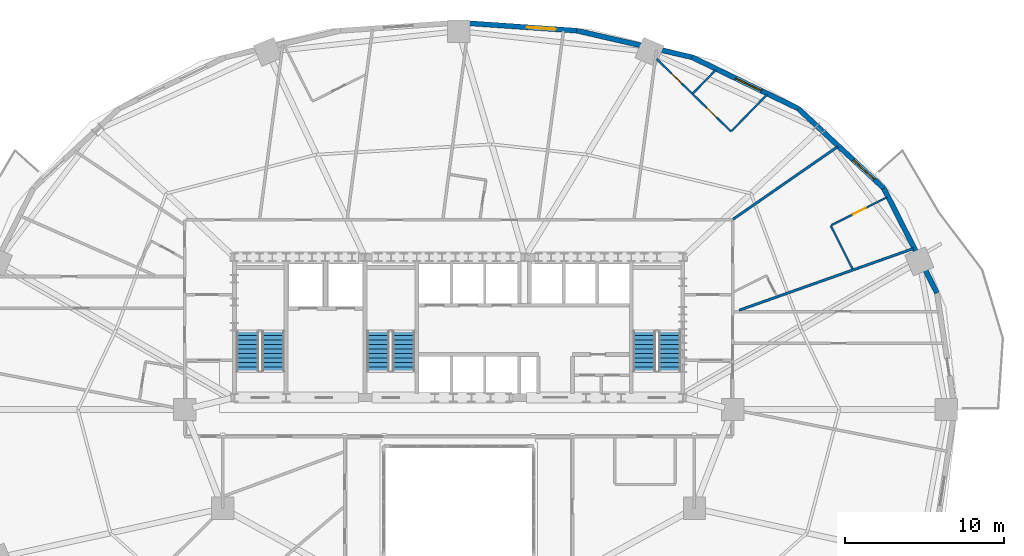
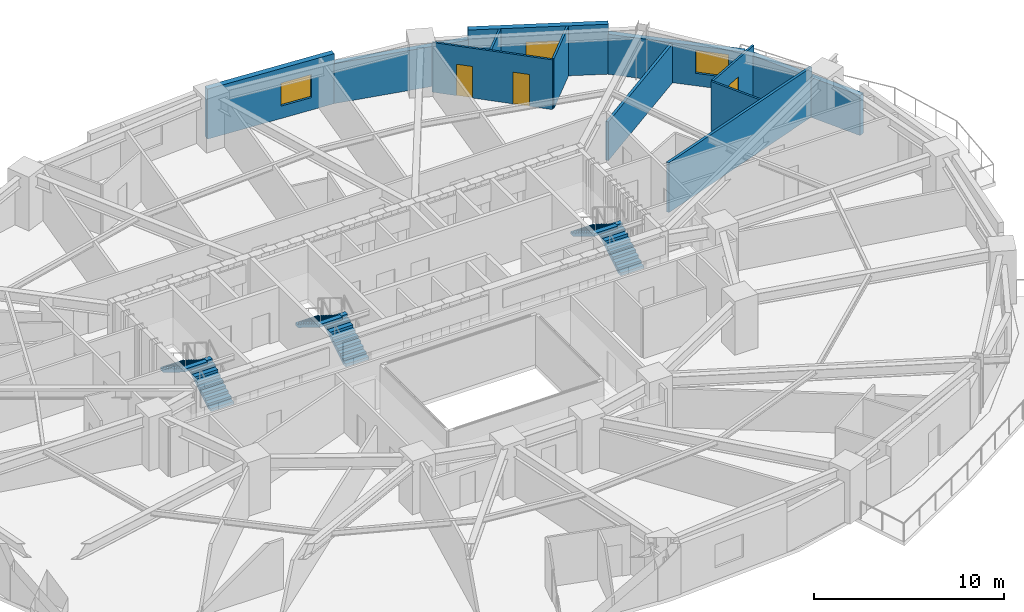
# One storey, part 13 of 17: 12 walls, 6 stair flights, 3 doors, 3 windows, 6 openings, 3 elements without a shape of their own.
"""IFC4 building model written with IfcOpenShell, lengths in metres."""

from ifc_helpers import new_model, si_unit, direction, frame, frame_2d, origin, place, context, subcontext, project, spatial, polyline, rectangle, outline, extrude, material, layer, layer_set, type_object, element, fill, aggregate, save


model = new_model("IFC4")

# Units and contexts
model_context = context("Model", 3, precision=1e-05, world=origin(), true_north=direction((0.0, 1.0)))
body_context = subcontext(model_context, "Body", "Model", "MODEL_VIEW")
ifc_project = project(units=[si_unit("LENGTHUNIT", "METRE"), si_unit("AREAUNIT", "SQUARE_METRE"), si_unit("VOLUMEUNIT", "CUBIC_METRE"), si_unit("PLANEANGLEUNIT", "RADIAN"), si_unit("MASSUNIT", "GRAM", prefix="KILO")], contexts=[model_context])

# Site, building, storey
site_placement = place(None, origin())
site = spatial("IfcSite", under=ifc_project, at=site_placement, CompositionType="ELEMENT")
building_placement = place(site_placement, origin())
building = spatial("IfcBuilding", under=site, at=building_placement, Name="Haldorwick Loom Tower", CompositionType="ELEMENT")
storey_placement = place(building_placement, frame((0.0, 0.0, 58.5)))
storey = spatial("IfcBuildingStorey", under=building, at=storey_placement, Name="L15", CompositionType="ELEMENT", Elevation=58.5)

# Wall
ifc_material_1 = material(Name="Pressed Clay Face Brick and Insulated Masonry Backup Assembly", Category="masonry")
ifc_layer_1 = layer(ifc_material_1, 0.320068359375, Name="Pressed Clay Face Brick and Insulated Masonry Backup Assembly", Category="masonry")
ifc_layer_set_1 = layer_set([ifc_layer_1], Name="Pressed Clay Face Brick and Insulated Masonry Backup Assembly")
wall_type_1 = type_object("IfcWallType", Name="ARC-WL-EXT320", PredefinedType="STANDARD", material=ifc_layer_set_1)
wall_1_placement = place(storey_placement, frame((66.021728515625, 33.320556640625, 0.0), z_axis=(0.0, 0.0, 1.0), x_axis=(-0.452950855928, 0.891535485617, 0.0)))
element("IfcWall", 1, at=wall_1_placement, inside=storey, type_object=wall_type_1, Name="L15 Brick Pier and Spandrel Wall 2", PredefinedType="STANDARD", context=body_context, shape_type="SweptSolid", body=[
    extrude(rectangle(XDim=7.3583984375, YDim=0.320068359375, at=frame_2d((3.67919921875, 0.0))), origin(), (0.0, 0.0, 1.0), 2.569091796875),
])

# Wall, opening, window
wall_2_placement = place(storey_placement, frame((62.688720703125, 39.880859375, 0.0), z_axis=(0.0, 0.0, 1.0), x_axis=(-0.73176101237, 0.681561311091, 0.0)))
wall_2 = element("IfcWall", 2, at=wall_2_placement, inside=storey, type_object=wall_type_1, Name="L15 Brick Pier and Spandrel Wall 3", PredefinedType="STANDARD", context=body_context, shape_type="SweptSolid", body=[
    extrude(rectangle(XDim=7.3583984375, YDim=0.320068359375, at=frame_2d((3.67919921875, 0.0))), origin(), (0.0, 0.0, 1.0), 2.569091796875),
])
opening_1_placement = place(wall_2_placement, frame((0.82177734375, 0.0, 0.800048828125)))
opening_1 = element("IfcOpeningElement", 3, at=opening_1_placement, cuts=wall_2, Name="Opening W-01", PredefinedType="OPENING", context=body_context, shape_type="SweptSolid", body=[
    extrude(rectangle(XDim=1.800048828125, YDim=1.47998046875, at=frame_2d((0.89990234375, 0.739990234375))), frame((0.0, 0.169921875, 0.0), z_axis=(0.0, -1.0, 0.0), x_axis=(1.0, 0.0, 0.0)), (0.0, 0.0, 1.0), 0.340087890625),
])
ifc_material_2 = material(Name="Triple-Glazed Low-E Argon Insulated Glazing Unit", Category="glass")
window_type = type_object("IfcWindowType", Name="ARC-WIN-W180", PartitioningType="SINGLE_PANEL", PredefinedType="WINDOW", material=ifc_material_2)
window_1_placement = place(opening_1_placement, origin())
window_1 = element("IfcWindow", 4, at=window_1_placement, inside=storey, type_object=window_type, Name="L15 Deep-Set Zone 7A Window 3", OverallHeight=1.47998046875, OverallWidth=1.800048828125, PartitioningType="SINGLE_PANEL", PredefinedType="WINDOW", context=body_context, shape_type="SweptSolid", body=[
    extrude(rectangle(XDim=1.800048828125, YDim=1.47998046875, at=frame_2d((0.89990234375, 0.739990234375))), frame((0.0, 0.030029296875, 0.0), z_axis=(0.0, -1.0, 0.0), x_axis=(1.0, 0.0, 0.0)), (0.0, 0.0, 1.0), 0.06005859375),
])
fill(opening_1, window_1)

wall_3_placement = place(storey_placement, frame((57.30419921875, 44.89599609375, 0.0), z_axis=(0.0, 0.0, 1.0), x_axis=(-0.900295710431, 0.435278800057, 0.0)))
wall_3 = element("IfcWall", 5, at=wall_3_placement, inside=storey, type_object=wall_type_1, Name="L15 Brick Pier and Spandrel Wall 4", PredefinedType="STANDARD", context=body_context, shape_type="SweptSolid", body=[
    extrude(rectangle(XDim=7.39697265625, YDim=0.320068359375, at=frame_2d((3.698486328125, 0.0))), origin(), (0.0, 0.0, 1.0), 3.2099609375),
])
opening_2_placement = place(wall_3_placement, frame((2.55859375, 0.0, 0.800048828125)))
opening_2 = element("IfcOpeningElement", 6, at=opening_2_placement, cuts=wall_3, Name="Opening W-01", PredefinedType="OPENING", context=body_context, shape_type="SweptSolid", body=[
    extrude(rectangle(XDim=1.800048828125, YDim=1.47998046875, at=frame_2d((0.89990234375, 0.739990234375))), frame((0.0, 0.169921875, 0.0), z_axis=(0.0, -1.0, 0.0), x_axis=(1.0, 0.0, 0.0)), (0.0, 0.0, 1.0), 0.340087890625),
])
window_2_placement = place(opening_2_placement, origin())
window_2 = element("IfcWindow", 7, at=window_2_placement, inside=storey, type_object=window_type, Name="L15 Deep-Set Zone 7A Window 4", OverallHeight=1.47998046875, OverallWidth=1.800048828125, PartitioningType="SINGLE_PANEL", PredefinedType="WINDOW", context=body_context, shape_type="SweptSolid", body=[
    extrude(rectangle(XDim=1.800048828125, YDim=1.47998046875, at=frame_2d((0.89990234375, 0.739990234375))), frame((0.0, 0.030029296875, 0.0), z_axis=(0.0, -1.0, 0.0), x_axis=(1.0, 0.0, 0.0)), (0.0, 0.0, 1.0), 0.06005859375),
])
fill(opening_2, window_2)

# Wall
wall_4_placement = place(storey_placement, frame((50.644775390625, 48.11572265625, 0.0), z_axis=(0.0, 0.0, 1.0), x_axis=(-0.974522412345, 0.224290142088, 0.0)))
element("IfcWall", 8, at=wall_4_placement, inside=storey, type_object=wall_type_1, Name="L15 Brick Pier and Spandrel Wall 5", PredefinedType="STANDARD", context=body_context, shape_type="SweptSolid", body=[
    extrude(rectangle(XDim=7.422607421875, YDim=0.320068359375, at=frame_2d((3.71142578125, 0.0))), origin(), (0.0, 0.0, 1.0), 2.569091796875),
])

# Wall, opening, window
wall_5_placement = place(storey_placement, frame((43.411376953125, 49.780517578125, 0.0), z_axis=(0.0, 0.0, 1.0), x_axis=(-0.997645161917, 0.068586667092, 0.0)))
wall_5 = element("IfcWall", 9, at=wall_5_placement, inside=storey, type_object=wall_type_1, Name="L15 Brick Pier and Spandrel Wall 6", PredefinedType="STANDARD", context=body_context, shape_type="SweptSolid", body=[
    extrude(rectangle(XDim=7.428955078125, YDim=0.320068359375, at=frame_2d((3.71435546875, 0.0))), origin(), (0.0, 0.0, 1.0), 3.2099609375),
])
opening_3_placement = place(wall_5_placement, frame((1.32861328125, 0.0, 0.800048828125)))
opening_3 = element("IfcOpeningElement", 10, at=opening_3_placement, cuts=wall_5, Name="Opening W-01", PredefinedType="OPENING", context=body_context, shape_type="SweptSolid", body=[
    extrude(rectangle(XDim=1.800048828125, YDim=1.47998046875, at=frame_2d((0.89990234375, 0.739990234375))), frame((0.0, 0.169921875, 0.0), z_axis=(0.0, -1.0, 0.0), x_axis=(1.0, 0.0, 0.0)), (0.0, 0.0, 1.0), 0.340087890625),
])
window_3_placement = place(opening_3_placement, origin())
window_3 = element("IfcWindow", 11, at=window_3_placement, inside=storey, type_object=window_type, Name="L15 Deep-Set Zone 7A Window 6", OverallHeight=1.47998046875, OverallWidth=1.800048828125, PartitioningType="SINGLE_PANEL", PredefinedType="WINDOW", context=body_context, shape_type="SweptSolid", body=[
    extrude(rectangle(XDim=1.800048828125, YDim=1.47998046875, at=frame_2d((0.89990234375, 0.739990234375))), frame((0.0, 0.030029296875, 0.0), z_axis=(0.0, -1.0, 0.0), x_axis=(1.0, 0.0, 0.0)), (0.0, 0.0, 1.0), 0.06005859375),
])
fill(opening_3, window_3)

# Walls
ifc_material_3 = material(Name="Fire-Rated Type X Gypsum Stud Assembly EI 60")
ifc_layer_2 = layer(ifc_material_3, 0.159912109375, Name="Fire-Rated Type X Gypsum Stud Assembly EI 60")
ifc_layer_set_2 = layer_set([ifc_layer_2], Name="Fire-Rated Type X Gypsum Stud Assembly EI 60")
wall_type_2 = type_object("IfcWallType", Name="ARC-WL-FIRE160", PredefinedType="PARTITIONING", material=ifc_layer_set_2)
wall_6_placement = place(storey_placement, frame((53.60693359375, 32.23291015625, 0.0), z_axis=(0.0, 0.0, 1.0), x_axis=(0.942668773829, 0.333729805152, 0.0)))
element("IfcWall", 12, at=wall_6_placement, inside=storey, type_object=wall_type_2, Name="L15 Suite Split Wall", PredefinedType="PARTITIONING", context=body_context, shape_type="SweptSolid", body=[
    extrude(rectangle(XDim=11.59375, YDim=0.159912109375, at=frame_2d((5.796875, 0.0))), origin(), (0.0, 0.0, 1.0), 3.195068359375),
])
wall_7_placement = place(storey_placement, frame((53.21630859375, 37.93994140625, 0.0), z_axis=(0.0, 0.0, 1.0), x_axis=(0.821714778091, 0.569898958998, 0.0)))
element("IfcWall", 13, at=wall_7_placement, inside=storey, type_object=wall_type_2, Name="L15 Suite Split Wall", PredefinedType="PARTITIONING", context=body_context, shape_type="SweptSolid", body=[
    extrude(rectangle(XDim=7.99462890625, YDim=0.159912109375, at=frame_2d((3.997314453125, 0.0))), origin(), (0.0, 0.0, 1.0), 2.489990234375),
])
ifc_material_4 = material(Name="Acoustic Gypsum Stud Assembly STC 55")
ifc_layer_3 = layer(ifc_material_4, 0.1201171875, Name="Acoustic Gypsum Stud Assembly STC 55")
ifc_layer_set_3 = layer_set([ifc_layer_3], Name="Acoustic Gypsum Stud Assembly STC 55")
wall_type_3 = type_object("IfcWallType", Name="ARC-WL-PART120", PredefinedType="PARTITIONING", material=ifc_layer_set_3)
wall_8_placement = place(storey_placement, frame((60.7158203125, 34.837646484375, 0.0), z_axis=(0.0, 0.0, 1.0), x_axis=(-0.449400530319, 0.893330377491, 0.0)))
element("IfcWall", 14, at=wall_8_placement, inside=storey, type_object=wall_type_3, Name="L15 Unit 15J Interior Partition", PredefinedType="PARTITIONING", context=body_context, shape_type="SweptSolid", body=[
    extrude(rectangle(XDim=3.03466796875, YDim=0.1201171875, at=frame_2d((1.517333984375, 0.0))), origin(), (0.0, 0.0, 1.0), 3.195068359375),
])

# Wall, opening, door
wall_9_placement = place(storey_placement, frame((59.408203125, 37.576904296875, 0.0), z_axis=(0.0, 0.0, 1.0), x_axis=(0.893311142438, 0.449438764234, 0.0)))
wall_9 = element("IfcWall", 15, at=wall_9_placement, inside=storey, type_object=wall_type_3, Name="L15 Unit 15J Interior Partition", PredefinedType="PARTITIONING", context=body_context, shape_type="SweptSolid", body=[
    extrude(rectangle(XDim=3.903564453125, YDim=0.1201171875, at=frame_2d((1.95166015625, 0.0))), origin(), (0.0, 0.0, 1.0), 3.195068359375),
])
opening_4_placement = place(wall_9_placement, frame((1.501708984375, 0.0, 0.0)))
opening_4 = element("IfcOpeningElement", 16, at=opening_4_placement, cuts=wall_9, Name="Opening D-IN90", PredefinedType="OPENING", context=body_context, shape_type="SweptSolid", body=[
    extrude(rectangle(XDim=0.89990234375, YDim=2.0400390625, at=frame_2d((0.449951171875, 1.02001953125))), frame((0.0, 0.070068359375, 0.0), z_axis=(0.0, -1.0, 0.0), x_axis=(1.0, 0.0, 0.0)), (0.0, 0.0, 1.0), 0.14013671875),
])
ifc_material_5 = material(Name="Solid Core Birch Architectural Door")
door_type_1 = type_object("IfcDoorType", Name="ARC-DR-INT90", OperationType="NOTDEFINED", PredefinedType="DOOR", material=ifc_material_5)
door_1_placement = place(opening_4_placement, origin())
door_1 = element("IfcDoor", 17, at=door_1_placement, inside=storey, type_object=door_type_1, Name="L15 Unit 15J Kitchen and Living Room to Unit 15J Bedroom 1 Door", OperationType="SINGLE_SWING_RIGHT", OverallHeight=2.0400390625, OverallWidth=0.89990234375, PredefinedType="DOOR", context=body_context, shape_type="SweptSolid", body=[
    extrude(rectangle(XDim=0.89990234375, YDim=2.0400390625, at=frame_2d((0.449951171875, 1.02001953125))), frame((0.0, 0.02490234375, 0.0), z_axis=(0.0, -1.0, 0.0), x_axis=(1.0, 0.0, 0.0)), (0.0, 0.0, 1.0), 0.050048828125),
])
fill(opening_4, door_1)

# Wall, openings, doors
wall_10_placement = place(storey_placement, frame((53.098388671875, 43.45068359375, 0.0), z_axis=(0.0, 0.0, 1.0), x_axis=(-0.716200799815, 0.697894271609, 0.0)))
wall_10 = element("IfcWall", 18, at=wall_10_placement, inside=storey, type_object=wall_type_3, Name="L15 Unit 15K Interior Partition", PredefinedType="PARTITIONING", context=body_context, shape_type="SweptSolid", body=[
    extrude(rectangle(XDim=6.521484375, YDim=0.1201171875, at=frame_2d((3.2607421875, 0.0))), origin(), (0.0, 0.0, 1.0), 3.195068359375),
])
opening_5_placement = place(wall_10_placement, frame((1.236572265625, 0.0, 0.0)))
opening_5 = element("IfcOpeningElement", 19, at=opening_5_placement, cuts=wall_10, Name="Opening D-IN90", PredefinedType="OPENING", context=body_context, shape_type="SweptSolid", body=[
    extrude(rectangle(XDim=0.89990234375, YDim=2.0400390625, at=frame_2d((0.449951171875, 1.02001953125))), frame((0.0, 0.070068359375, 0.0), z_axis=(0.0, -1.0, 0.0), x_axis=(1.0, 0.0, 0.0)), (0.0, 0.0, 1.0), 0.14013671875),
])
opening_6_placement = place(wall_10_placement, frame((4.329345703125, 0.0, 0.0)))
opening_6 = element("IfcOpeningElement", 20, at=opening_6_placement, cuts=wall_10, Name="Opening D-BT88", PredefinedType="OPENING", context=body_context, shape_type="SweptSolid", body=[
    extrude(rectangle(XDim=0.8798828125, YDim=2.02001953125, at=frame_2d((0.43994140625, 1.010009765625))), frame((0.0, 0.070068359375, 0.0), z_axis=(0.0, -1.0, 0.0), x_axis=(1.0, 0.0, 0.0)), (0.0, 0.0, 1.0), 0.14013671875),
])
door_type_2 = type_object("IfcDoorType", Name="ARC-DR-BATH88", OperationType="NOTDEFINED", PredefinedType="DOOR", material=ifc_material_5)
door_2_placement = place(opening_6_placement, origin())
door_2 = element("IfcDoor", 21, at=door_2_placement, inside=storey, type_object=door_type_2, Name="L15 Unit 15K Kitchen and Living Room to Unit 15K Bathroom Door", OperationType="SINGLE_SWING_RIGHT", OverallHeight=2.02001953125, OverallWidth=0.8798828125, PredefinedType="DOOR", context=body_context, shape_type="SweptSolid", body=[
    extrude(rectangle(XDim=0.8798828125, YDim=2.02001953125, at=frame_2d((0.43994140625, 1.010009765625))), frame((0.0, 0.02490234375, 0.0), z_axis=(0.0, -1.0, 0.0), x_axis=(1.0, 0.0, 0.0)), (0.0, 0.0, 1.0), 0.050048828125),
])
fill(opening_6, door_2)
door_3_placement = place(opening_5_placement, origin())
door_3 = element("IfcDoor", 22, at=door_3_placement, inside=storey, type_object=door_type_1, Name="L15 Unit 15K Kitchen and Living Room to Unit 15K Bedroom 1 Door", OperationType="SINGLE_SWING_LEFT", OverallHeight=2.0400390625, OverallWidth=0.89990234375, PredefinedType="DOOR", context=body_context, shape_type="SweptSolid", body=[
    extrude(rectangle(XDim=0.89990234375, YDim=2.0400390625, at=frame_2d((0.449951171875, 1.02001953125))), frame((0.0, 0.02490234375, 0.0), z_axis=(0.0, -1.0, 0.0), x_axis=(1.0, 0.0, 0.0)), (0.0, 0.0, 1.0), 0.050048828125),
])
fill(opening_5, door_3)

# Walls
wall_11_placement = place(storey_placement, frame((53.142578125, 43.495849609375, 0.0), z_axis=(0.0, 0.0, 1.0), x_axis=(0.697882960222, 0.716211821901, 0.0)))
element("IfcWall", 23, at=wall_11_placement, inside=storey, type_object=wall_type_3, Name="L15 Unit 15K Interior Partition", PredefinedType="PARTITIONING", context=body_context, shape_type="SweptSolid", body=[
    extrude(rectangle(XDim=3.170166015625, YDim=0.1201171875, at=frame_2d((1.5849609375, 0.0))), origin(), (0.0, 0.0, 1.0), 3.195068359375),
])
wall_12_placement = place(storey_placement, frame((50.718994140625, 45.857421875, 0.0), z_axis=(0.0, 0.0, 1.0), x_axis=(0.697896196061, 0.716198924548, 0.0)))
element("IfcWall", 24, at=wall_12_placement, inside=storey, type_object=wall_type_3, Name="L15 Unit 15K Interior Partition", PredefinedType="PARTITIONING", context=body_context, shape_type="SweptSolid", body=[
    extrude(rectangle(XDim=2.040771484375, YDim=0.1201171875, at=frame_2d((1.0205078125, 0.0))), origin(), (0.0, 0.0, 1.0), 3.195068359375),
])

# Stair, stair flights
ifc_material_6 = material(Name="Concrete C40 (40 MPa)", Category="concrete")
stair_type = type_object("IfcStairType", Name="STR-STR-CORE", PredefinedType="HALF_TURN_STAIR", material=ifc_material_6)
stair_1_placement = place(storey_placement, origin())
stair_1 = element("IfcStair", 25, at=stair_1_placement, inside=storey, type_object=stair_type, Name="L15 Exit Stair ST-01", PredefinedType="HALF_TURN_STAIR")
stair_flight_type = type_object("IfcStairFlightType", Name="STR-STF-1250", PredefinedType="STRAIGHT", material=ifc_material_6)
stair_flight_1_placement = place(storey_placement, frame((24.35009765625, 28.39990234375, 0.0), z_axis=(0.0, 0.0, 1.0), x_axis=(0.0, 1.0, 0.0)))
stair_flight_1 = element("IfcStairFlight", 26, at=stair_flight_1_placement, type_object=stair_flight_type, Name="ST-01 flight 1", NumberOfRisers=10, NumberOfTreads=9, PredefinedType="STRAIGHT", RiserHeight=0.1725, TreadLength=0.28, context=body_context, shape_type="SweptSolid", body=[
    extrude(outline(polyline([(0.0, 0.0), (0.0, 0.172607421875), (0.280029296875, 0.172607421875), (0.280029296875, 0.344970703125), (0.56005859375, 0.344970703125), (0.56005859375, 0.517578125), (0.840087890625, 0.517578125), (0.840087890625, 0.68994140625), (1.1201171875, 0.68994140625), (1.1201171875, 0.862548828125), (1.39990234375, 0.862548828125), (1.39990234375, 1.034912109375), (1.679931640625, 1.034912109375), (1.679931640625, 1.20751953125), (1.9599609375, 1.20751953125), (1.9599609375, 1.3798828125), (2.239990234375, 1.3798828125), (2.239990234375, 1.552490234375), (2.52001953125, 1.552490234375), (2.52001953125, 1.72509765625), (2.52001953125, 1.37646484375), (0.285888671875, 0.0), (0.0, 0.0)])), frame((0.0, 0.699951171875, 0.0), z_axis=(0.0, -1.0, 0.0), x_axis=(1.0, 0.0, 0.0)), (0.0, 0.0, 1.0), 1.39990234375),
])
stair_flight_2_placement = place(storey_placement, frame((22.75, 30.919921875, 1.72509765625), z_axis=(0.0, 0.0, 1.0), x_axis=(0.0, -1.0, 0.0)))
stair_flight_2 = element("IfcStairFlight", 27, at=stair_flight_2_placement, type_object=stair_flight_type, Name="ST-01 flight 2", NumberOfRisers=10, NumberOfTreads=9, PredefinedType="STRAIGHT", RiserHeight=0.1725, TreadLength=0.28, context=body_context, shape_type="SweptSolid", body=[
    extrude(outline(polyline([(0.0, 0.0), (0.0, 0.172607421875), (0.280029296875, 0.172607421875), (0.280029296875, 0.344970703125), (0.56005859375, 0.344970703125), (0.56005859375, 0.517578125), (0.840087890625, 0.517578125), (0.840087890625, 0.68994140625), (1.1201171875, 0.68994140625), (1.1201171875, 0.862548828125), (1.39990234375, 0.862548828125), (1.39990234375, 1.034912109375), (1.679931640625, 1.034912109375), (1.679931640625, 1.20751953125), (1.9599609375, 1.20751953125), (1.9599609375, 1.3798828125), (2.239990234375, 1.3798828125), (2.239990234375, 1.552490234375), (2.52001953125, 1.552490234375), (2.52001953125, 1.72509765625), (2.52001953125, 1.37646484375), (0.285888671875, 0.0), (0.0, 0.0)])), frame((0.0, 0.699951171875, 0.0), z_axis=(0.0, -1.0, 0.0), x_axis=(1.0, 0.0, 0.0)), (0.0, 0.0, 1.0), 1.39990234375),
])
aggregate(stair_1, [stair_flight_1, stair_flight_2])

stair_2_placement = place(storey_placement, origin())
stair_2 = element("IfcStair", 28, at=stair_2_placement, inside=storey, type_object=stair_type, Name="L15 Exit Stair ST-02", PredefinedType="HALF_TURN_STAIR")
stair_flight_3_placement = place(storey_placement, frame((49.25, 28.39990234375, 0.0), z_axis=(0.0, 0.0, 1.0), x_axis=(0.0, 1.0, 0.0)))
stair_flight_3 = element("IfcStairFlight", 29, at=stair_flight_3_placement, type_object=stair_flight_type, Name="ST-02 flight 1", NumberOfRisers=10, NumberOfTreads=9, PredefinedType="STRAIGHT", RiserHeight=0.1725, TreadLength=0.28, context=body_context, shape_type="SweptSolid", body=[
    extrude(outline(polyline([(0.0, 0.0), (0.0, 0.172607421875), (0.280029296875, 0.172607421875), (0.280029296875, 0.344970703125), (0.56005859375, 0.344970703125), (0.56005859375, 0.517578125), (0.840087890625, 0.517578125), (0.840087890625, 0.68994140625), (1.1201171875, 0.68994140625), (1.1201171875, 0.862548828125), (1.39990234375, 0.862548828125), (1.39990234375, 1.034912109375), (1.679931640625, 1.034912109375), (1.679931640625, 1.20751953125), (1.9599609375, 1.20751953125), (1.9599609375, 1.3798828125), (2.239990234375, 1.3798828125), (2.239990234375, 1.552490234375), (2.52001953125, 1.552490234375), (2.52001953125, 1.72509765625), (2.52001953125, 1.37646484375), (0.285888671875, 0.0), (0.0, 0.0)])), frame((0.0, 0.699951171875, 0.0), z_axis=(0.0, -1.0, 0.0), x_axis=(1.0, 0.0, 0.0)), (0.0, 0.0, 1.0), 1.39990234375),
])
stair_flight_4_placement = place(storey_placement, frame((47.64990234375, 30.919921875, 1.72509765625), z_axis=(0.0, 0.0, 1.0), x_axis=(0.0, -1.0, 0.0)))
stair_flight_4 = element("IfcStairFlight", 30, at=stair_flight_4_placement, type_object=stair_flight_type, Name="ST-02 flight 2", NumberOfRisers=10, NumberOfTreads=9, PredefinedType="STRAIGHT", RiserHeight=0.1725, TreadLength=0.28, context=body_context, shape_type="SweptSolid", body=[
    extrude(outline(polyline([(0.0, 0.0), (0.0, 0.172607421875), (0.280029296875, 0.172607421875), (0.280029296875, 0.344970703125), (0.56005859375, 0.344970703125), (0.56005859375, 0.517578125), (0.840087890625, 0.517578125), (0.840087890625, 0.68994140625), (1.1201171875, 0.68994140625), (1.1201171875, 0.862548828125), (1.39990234375, 0.862548828125), (1.39990234375, 1.034912109375), (1.679931640625, 1.034912109375), (1.679931640625, 1.20751953125), (1.9599609375, 1.20751953125), (1.9599609375, 1.3798828125), (2.239990234375, 1.3798828125), (2.239990234375, 1.552490234375), (2.52001953125, 1.552490234375), (2.52001953125, 1.72509765625), (2.52001953125, 1.37646484375), (0.285888671875, 0.0), (0.0, 0.0)])), frame((0.0, 0.699951171875, 0.0), z_axis=(0.0, -1.0, 0.0), x_axis=(1.0, 0.0, 0.0)), (0.0, 0.0, 1.0), 1.39990234375),
])
aggregate(stair_2, [stair_flight_3, stair_flight_4])

stair_3_placement = place(storey_placement, origin())
stair_3 = element("IfcStair", 31, at=stair_3_placement, inside=storey, type_object=stair_type, Name="L15 Exit Stair ST-03", PredefinedType="HALF_TURN_STAIR")
stair_flight_5_placement = place(storey_placement, frame((32.550048828125, 28.39990234375, 0.0), z_axis=(0.0, 0.0, 1.0), x_axis=(0.0, 1.0, 0.0)))
stair_flight_5 = element("IfcStairFlight", 32, at=stair_flight_5_placement, type_object=stair_flight_type, Name="ST-03 flight 1", NumberOfRisers=10, NumberOfTreads=9, PredefinedType="STRAIGHT", RiserHeight=0.1725, TreadLength=0.28, context=body_context, shape_type="SweptSolid", body=[
    extrude(outline(polyline([(0.0, 0.0), (0.0, 0.172607421875), (0.280029296875, 0.172607421875), (0.280029296875, 0.344970703125), (0.56005859375, 0.344970703125), (0.56005859375, 0.517578125), (0.840087890625, 0.517578125), (0.840087890625, 0.68994140625), (1.1201171875, 0.68994140625), (1.1201171875, 0.862548828125), (1.39990234375, 0.862548828125), (1.39990234375, 1.034912109375), (1.679931640625, 1.034912109375), (1.679931640625, 1.20751953125), (1.9599609375, 1.20751953125), (1.9599609375, 1.3798828125), (2.239990234375, 1.3798828125), (2.239990234375, 1.552490234375), (2.52001953125, 1.552490234375), (2.52001953125, 1.72509765625), (2.52001953125, 1.37646484375), (0.285888671875, 0.0), (0.0, 0.0)])), frame((0.0, 0.699951171875, 0.0), z_axis=(0.0, -1.0, 0.0), x_axis=(1.0, 0.0, 0.0)), (0.0, 0.0, 1.0), 1.39990234375),
])
stair_flight_6_placement = place(storey_placement, frame((30.949951171875, 30.919921875, 1.72509765625), z_axis=(0.0, 0.0, 1.0), x_axis=(0.0, -1.0, 0.0)))
stair_flight_6 = element("IfcStairFlight", 33, at=stair_flight_6_placement, type_object=stair_flight_type, Name="ST-03 flight 2", NumberOfRisers=10, NumberOfTreads=9, PredefinedType="STRAIGHT", RiserHeight=0.1725, TreadLength=0.28, context=body_context, shape_type="SweptSolid", body=[
    extrude(outline(polyline([(0.0, 0.0), (0.0, 0.172607421875), (0.280029296875, 0.172607421875), (0.280029296875, 0.344970703125), (0.56005859375, 0.344970703125), (0.56005859375, 0.517578125), (0.840087890625, 0.517578125), (0.840087890625, 0.68994140625), (1.1201171875, 0.68994140625), (1.1201171875, 0.862548828125), (1.39990234375, 0.862548828125), (1.39990234375, 1.034912109375), (1.679931640625, 1.034912109375), (1.679931640625, 1.20751953125), (1.9599609375, 1.20751953125), (1.9599609375, 1.3798828125), (2.239990234375, 1.3798828125), (2.239990234375, 1.552490234375), (2.52001953125, 1.552490234375), (2.52001953125, 1.72509765625), (2.52001953125, 1.37646484375), (0.285888671875, 0.0), (0.0, 0.0)])), frame((0.0, 0.699951171875, 0.0), z_axis=(0.0, -1.0, 0.0), x_axis=(1.0, 0.0, 0.0)), (0.0, 0.0, 1.0), 1.39990234375),
])
aggregate(stair_3, [stair_flight_5, stair_flight_6])

save(model, "model.ifc")
